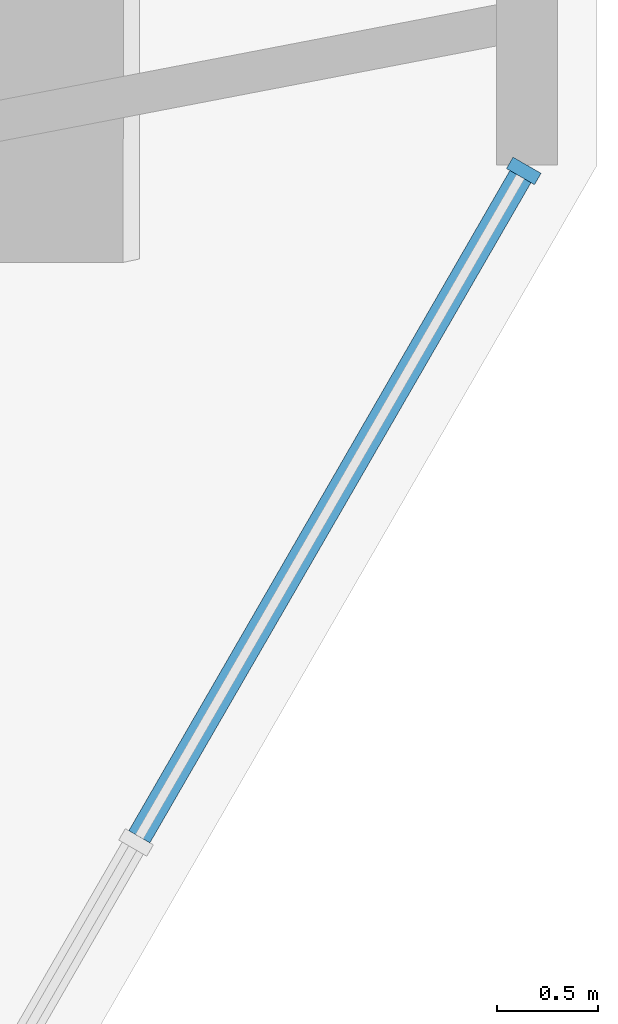
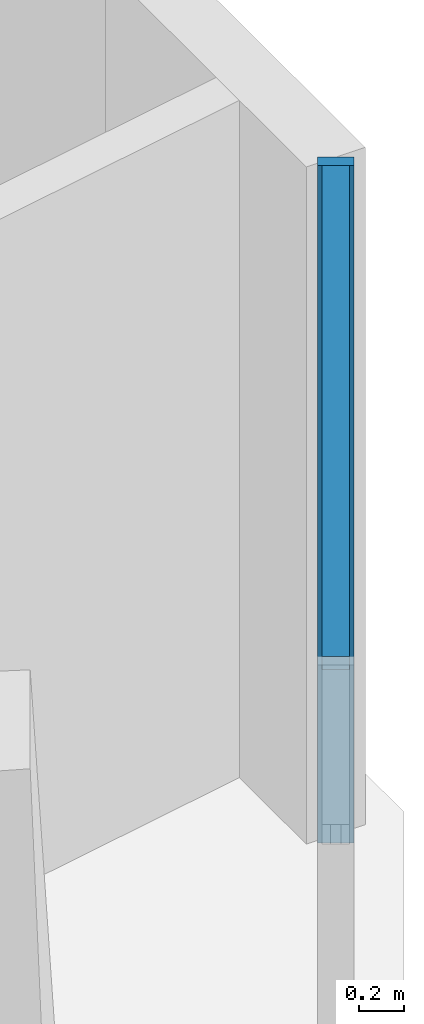
# One storey, part 6 of 16: 2 members, 1 element without a shape of its own.
"""IFC4 building model written with IfcOpenShell, lengths in metres."""

from ifc_helpers import new_model, si_unit, direction, frame, origin, origin_2d, place, context, subcontext, project, spatial, rectangle, extrude, material, material_profile, profile_set, type_object, element, aggregate, save


model = new_model("IFC4")

# Units and contexts
model_context = context("Model", 3, precision=1e-05, world=origin(), true_north=direction((0.0, 1.0)))
body_context = subcontext(model_context, "Body", "Model", "MODEL_VIEW")
ifc_project = project(units=[si_unit("LENGTHUNIT", "METRE"), si_unit("AREAUNIT", "SQUARE_METRE"), si_unit("VOLUMEUNIT", "CUBIC_METRE"), si_unit("PLANEANGLEUNIT", "RADIAN"), si_unit("MASSUNIT", "GRAM", prefix="KILO")], contexts=[model_context])

# Site, building, storey
site_placement = place(None, origin())
site = spatial("IfcSite", under=ifc_project, at=site_placement, CompositionType="ELEMENT")
building_placement = place(site_placement, origin())
building = spatial("IfcBuilding", under=site, at=building_placement, Name="Sandreach Pilgrim Tower", CompositionType="ELEMENT")
storey_placement = place(building_placement, frame((0.0, 0.0, 244.0)))
storey = spatial("IfcBuildingStorey", under=building, at=storey_placement, Name="L61", CompositionType="ELEMENT", Elevation=244.0)

# Curtain wall, members
ifc_material_1 = material(Name="Aluminium framed curtain wall", Category="aluminium")
curtain_wall_type = type_object("IfcCurtainWallType", Name="Upper hotel tower curtain wall", PredefinedType="NOTDEFINED", material=ifc_material_1)
curtain_wall_placement = place(storey_placement, origin())
curtain_wall = element("IfcCurtainWall", 1, at=curtain_wall_placement, inside=storey, type_object=curtain_wall_type, Name="CW-3 L61 SE", PredefinedType="NOTDEFINED")
ifc_material_2 = material(Name="Aluminium extrusion", Category="aluminium")
ifc_material_profile_1 = material_profile(ifc_material_2, rectangle(XDim=0.06494140625, YDim=0.159912109375, at=origin_2d()), Name="CW-3M 65X160")
ifc_profile_set_1 = profile_set([ifc_material_profile_1], Name="Aluminium extrusion")
member_type_1 = type_object("IfcMemberType", Name="CW-3 mullion", PredefinedType="MULLION", material=ifc_profile_set_1)
member_1_placement = place(storey_placement, frame((27.00390625, 4.451904296875, 0.0), z_axis=(0.0, 0.0, 1.0), x_axis=(-0.5, -0.866025403784, 0.0)))
member_1 = element("IfcMember", 2, at=member_1_placement, type_object=member_type_1, Name="CW-3 mullion 1", PredefinedType="MULLION", context=body_context, shape_type="SweptSolid", body=[
    extrude(rectangle(XDim=0.06494140625, YDim=0.159912109375, at=origin_2d()), origin(), (0.0, 0.0, 1.0), 3.639892578125),
])
ifc_material_3 = material(Name="Aluminium extrusion", Category="aluminium")
ifc_material_profile_2 = material_profile(ifc_material_3, rectangle(XDim=0.1201171875, YDim=0.070068359375, at=origin_2d()), Name="CW-3T 120X70")
ifc_profile_set_2 = profile_set([ifc_material_profile_2], Name="Aluminium extrusion")
member_type_2 = type_object("IfcMemberType", Name="CW-3 transom", PredefinedType="USERDEFINED", material=ifc_profile_set_2)
member_2_placement = place(storey_placement, frame((26.987548828125, 4.423828125, 3.60498046875), z_axis=(-0.499944992379, -0.86605716012, 0.0), x_axis=(0.86605716012, -0.499944992379, 0.0)))
member_2 = element("IfcMember", 3, at=member_2_placement, type_object=member_type_2, Name="CW-3 head transom 1", ObjectType="TRANSOM", PredefinedType="USERDEFINED", context=body_context, shape_type="SweptSolid", body=[
    extrude(rectangle(XDim=0.1201171875, YDim=0.070068359375, at=origin_2d()), origin(), (0.0, 0.0, 1.0), 3.76708984375),
])
aggregate(curtain_wall, [member_1, member_2])

save(model, "model.ifc")
